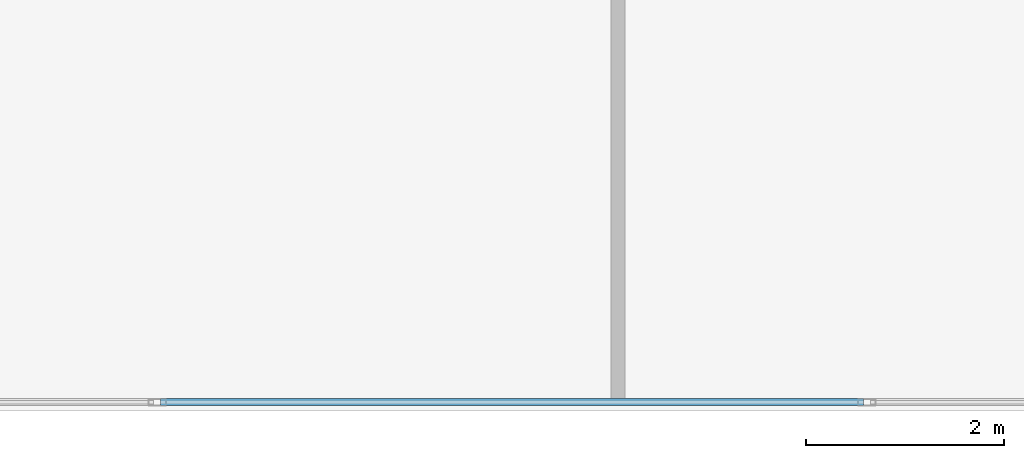
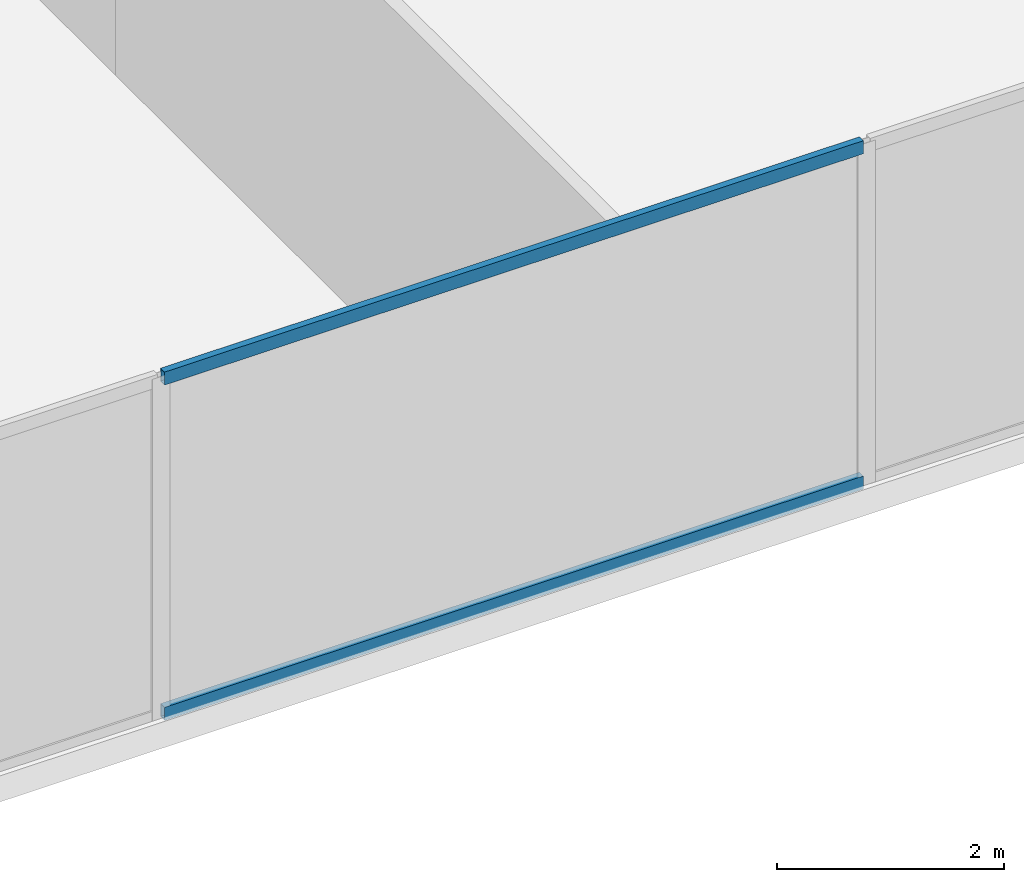
# One storey, part 3 of 28: 2 members, 1 element without a shape of its own.
"""IFC4 building model written with IfcOpenShell, lengths in metres."""

from ifc_helpers import new_model, si_unit, direction, frame, origin, origin_2d, place, context, subcontext, project, spatial, hollow_rectangle, extrude, source, transform, mapped, material, material_profile, profile_set, type_object, type_shapes, element, aggregate, save


model = new_model("IFC4")

# Units and contexts
model_context = context("Model", 3, precision=1e-05, world=origin(), true_north=direction((0.0, 1.0)))
body_context = subcontext(model_context, "Body", "Model", "MODEL_VIEW")
ifc_project = project(units=[si_unit("LENGTHUNIT", "METRE"), si_unit("AREAUNIT", "SQUARE_METRE"), si_unit("VOLUMEUNIT", "CUBIC_METRE"), si_unit("PLANEANGLEUNIT", "RADIAN"), si_unit("MASSUNIT", "GRAM", prefix="KILO")], contexts=[model_context])

# Site, building, storey
site_placement = place(None, origin())
site = spatial("IfcSite", under=ifc_project, at=site_placement, CompositionType="ELEMENT")
building_placement = place(site_placement, origin())
building = spatial("IfcBuilding", under=site, at=building_placement, Name="Krantzveldt Concourse Tower", CompositionType="ELEMENT")
storey_placement = place(building_placement, frame((0.0, 0.0, 28.949951171875)))
storey = spatial("IfcBuildingStorey", under=building, at=storey_placement, Name="L06", CompositionType="ELEMENT", Elevation=28.949951171875)

# Curtain wall, members
ifc_material = material(Name="Anodised aluminium 6063-T6", Category="aluminium")
curtain_wall_type = type_object("IfcCurtainWallType", Name="CW2", PredefinedType="USERDEFINED", material=ifc_material)
curtain_wall_placement = place(storey_placement, origin())
curtain_wall = element("IfcCurtainWall", 1, at=curtain_wall_placement, inside=storey, type_object=curtain_wall_type, Name="CW-L06-F04", ObjectType="UNITISED CURTAIN WALL", PredefinedType="USERDEFINED")
ifc_material_profile = material_profile(ifc_material, hollow_rectangle(XDim=0.070068359375, YDim=0.139892578125, WallThickness=0.0048828125, at=origin_2d()), Name="Anodised aluminium 6063-T6", Category="aluminium")
ifc_profile_set = profile_set([ifc_material_profile], Name="Anodised aluminium 6063-T6 - ALU-TRAN 140x70x5")
member_type = type_object("IfcMemberType", Name="CW-TRN-150", PredefinedType="USERDEFINED", material=ifc_profile_set)
shared_shape = source(origin(), body_context, "Body", "SweptSolid", [
    extrude(hollow_rectangle(XDim=0.070068359375, YDim=0.139892578125, WallThickness=0.0048828125, at=origin_2d()), origin(), (0.0, 0.0, 1.0), 7.0966796875),
])
type_shapes(member_type, [shared_shape])
member_1_placement = place(storey_placement, frame((21.70166015625, 1.7900390625, 0.03515625), z_axis=(1.0, 0.0, 0.0), x_axis=(0.0, 1.0, 0.0)))
member_1 = element("IfcMember", 2, at=member_1_placement, type_object=member_type, Name="CW-Z12 transom 2.1", ObjectType="TRANSOM", PredefinedType="USERDEFINED", context=body_context, shape_type="MappedRepresentation", body=[
    mapped(shared_shape, transform((0.0, 0.0, 0.0), x_axis=(1.0, 0.0, 0.0), y_axis=(0.0, 1.0, 0.0), z_axis=(0.0, 0.0, 1.0), scale=1.0)),
])
member_2_placement = place(storey_placement, frame((21.70166015625, 1.7900390625, 3.635009765625), z_axis=(1.0, 0.0, 0.0), x_axis=(0.0, 1.0, 0.0)))
member_2 = element("IfcMember", 3, at=member_2_placement, type_object=member_type, Name="CW-Z12 transom 2.2", ObjectType="TRANSOM", PredefinedType="USERDEFINED", context=body_context, shape_type="MappedRepresentation", body=[
    mapped(shared_shape, transform((0.0, 0.0, 0.0), x_axis=(1.0, 0.0, 0.0), y_axis=(0.0, 1.0, 0.0), z_axis=(0.0, 0.0, 1.0), scale=1.0)),
])
aggregate(curtain_wall, [member_1, member_2])

save(model, "model.ifc")
